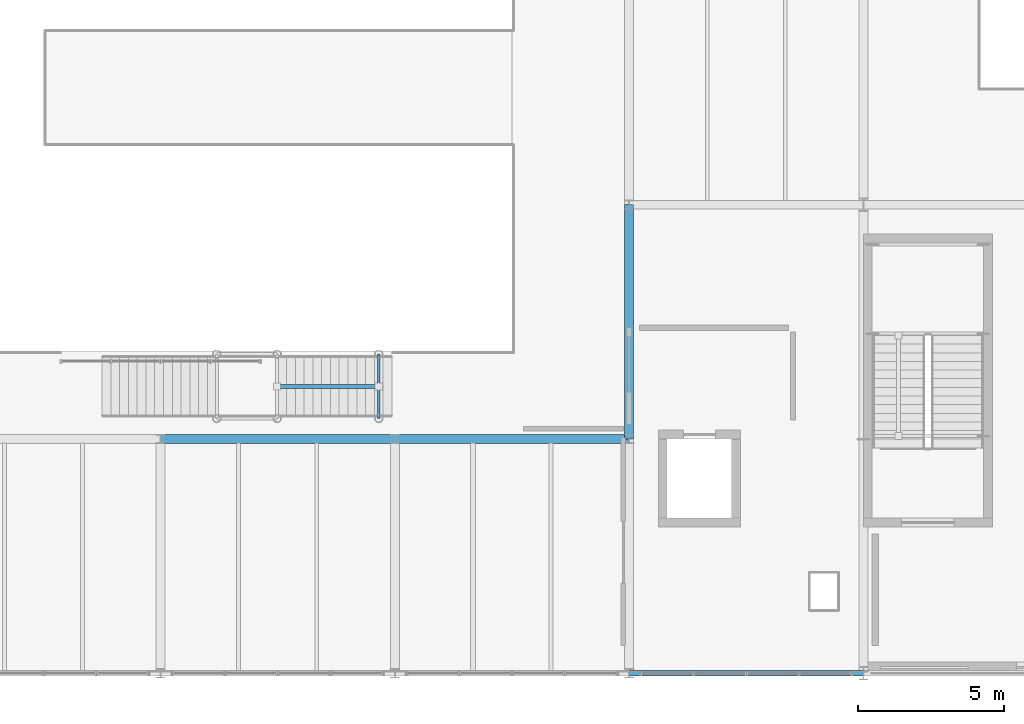
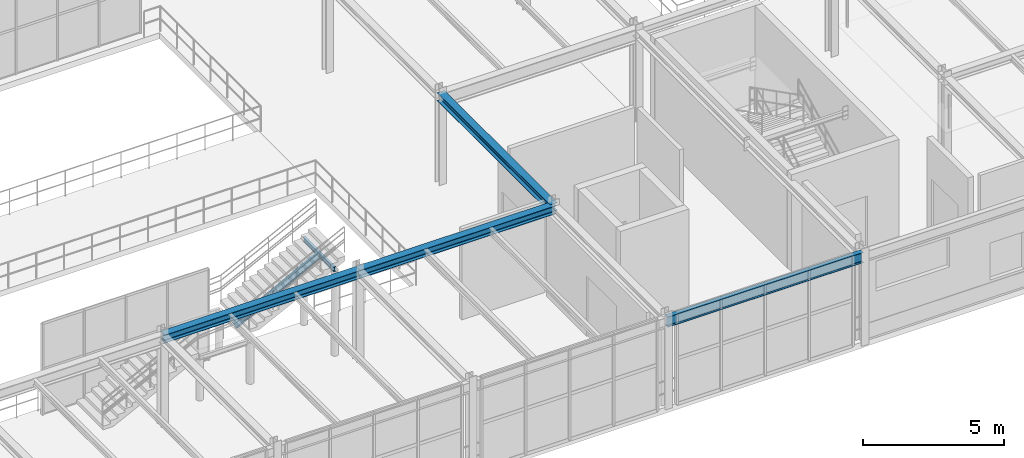
# One storey, part 41 of 124: 5 beams, 1 member.
"""IFC4 building model written with IfcOpenShell, lengths in metres."""

from ifc_helpers import new_model, si_unit, direction, frame, origin, origin_2d, place, context, subcontext, project, spatial, i_section, extrude, material, material_profile, profile_set, type_object, element, save


model = new_model("IFC4")

# Units and contexts
model_context = context("Model", 3, precision=1e-05, world=origin(), true_north=direction((0.0, 1.0)))
body_context = subcontext(model_context, "Body", "Model", "MODEL_VIEW")
ifc_project = project(units=[si_unit("LENGTHUNIT", "METRE"), si_unit("AREAUNIT", "SQUARE_METRE"), si_unit("VOLUMEUNIT", "CUBIC_METRE"), si_unit("PLANEANGLEUNIT", "RADIAN"), si_unit("MASSUNIT", "GRAM", prefix="KILO")], contexts=[model_context])

# Site, building, storey
site_placement = place(None, origin())
site = spatial("IfcSite", under=ifc_project, at=site_placement, CompositionType="ELEMENT")
building_placement = place(site_placement, origin())
building = spatial("IfcBuilding", under=site, at=building_placement, Name="Sundkrona Museum", CompositionType="ELEMENT")
storey_placement = place(building_placement, frame((0.0, 0.0, 17.60009765625)))
storey = spatial("IfcBuildingStorey", under=building, at=storey_placement, Name="L03", CompositionType="ELEMENT", Elevation=17.60009765625)

# Beams
ifc_material = material(Name="Steel S355J2", Category="steel")
ifc_material_profile_1 = material_profile(ifc_material, i_section(OverallWidth=0.300048828125, OverallDepth=0.35009765625, WebThickness=0.010009765625, FlangeThickness=0.017578125, FilletRadius=0.027099609375, at=origin_2d()), Name="HEA 360")
ifc_profile_set_1 = profile_set([ifc_material_profile_1], Name="Steel S355J2")
beam_type_1 = type_object("IfcBeamType", Name="B-HEA360", PredefinedType="BEAM", material=ifc_profile_set_1)
for number, where, z_axis, x_axis, name in (
    (1, (96.0, 8.0, 3.764892578125), (1.0, 0.0, 0.0), (0.0, 1.0, 0.0), "L03 Girder X-1423"),
    (2, (104.0, 8.0, 3.764892578125), (1.0, 0.0, 0.0), (0.0, 1.0, 0.0), "L03 Girder X-1424"),
    (3, (112.0, 8.0, 3.764892578125), (0.0, 1.0, 0.0), (-1.0, 0.0, 0.0), "L03 Girder Y-1618"),
):
    element("IfcBeam", number, at=place(storey_placement, frame(where, z_axis=z_axis, x_axis=x_axis)), inside=storey, type_object=beam_type_1, Name=name, PredefinedType="BEAM", context=body_context, shape_type="SweptSolid", body=[
        extrude(i_section(OverallWidth=0.300048828125, OverallDepth=0.35009765625, WebThickness=0.010009765625, FlangeThickness=0.017578125, FilletRadius=0.027099609375, at=origin_2d()), origin(), (0.0, 0.0, 1.0), 8.0),
    ])

# Member
ifc_material_profile_2 = material_profile(ifc_material, i_section(OverallWidth=0.135009765625, OverallDepth=0.27001953125, WebThickness=0.006591796875, FlangeThickness=0.01025390625, FilletRadius=0.014892578125, at=origin_2d()), Name="IPE 270")
ifc_profile_set_2 = profile_set([ifc_material_profile_2], Name="Steel S355J2")
member_type = type_object("IfcMemberType", Name="BR-IPE270", PredefinedType="BRACE", material=ifc_profile_set_2)
member_placement = place(storey_placement, frame((99.97998046875, 9.800048828125, 1.77978515625), z_axis=(0.879232589604, 0.0, 0.476392751181), x_axis=(0.0, 1.0, 0.0)))
element("IfcMember", 4, at=member_placement, inside=storey, type_object=member_type, Name="SRK-1 Feature Stair FS-4 Flight 2 Inclined Carriage Raker", PredefinedType="BRACE", context=body_context, shape_type="SweptSolid", body=[
    extrude(i_section(OverallWidth=0.135009765625, OverallDepth=0.27001953125, WebThickness=0.006591796875, FlangeThickness=0.01025390625, FilletRadius=0.014892578125, at=origin_2d()), origin(), (0.0, 0.0, 1.0), 3.946533203125),
])

# Beams
ifc_material_profile_3 = material_profile(ifc_material, i_section(OverallWidth=0.10009765625, OverallDepth=0.199951171875, WebThickness=0.005615234375, FlangeThickness=0.008544921875, FilletRadius=0.011962890625, at=origin_2d()), Name="IPE 200")
ifc_profile_set_3 = profile_set([ifc_material_profile_3], Name="Steel S355J2")
beam_type_2 = type_object("IfcBeamType", Name="J-IPE200", PredefinedType="JOIST", material=ifc_profile_set_3)
beam_1_placement = place(storey_placement, frame((103.449951171875, 8.699951171875, 3.659912109375), z_axis=(0.0, 1.0, 0.0), x_axis=(-1.0, 0.0, 0.0)))
element("IfcBeam", 5, at=beam_1_placement, inside=storey, type_object=beam_type_2, Name="Feature Stair FS-4 S3 Trimmer Beam", PredefinedType="JOIST", context=body_context, shape_type="SweptSolid", body=[
    extrude(i_section(OverallWidth=0.10009765625, OverallDepth=0.199951171875, WebThickness=0.005615234375, FlangeThickness=0.008544921875, FilletRadius=0.011962890625, at=origin_2d()), origin(), (0.0, 0.0, 1.0), 2.199951171875),
])
ifc_material_profile_4 = material_profile(ifc_material, i_section(OverallWidth=0.18994140625, OverallDepth=0.449951171875, WebThickness=0.009521484375, FlangeThickness=0.0146484375, FilletRadius=0.02099609375, at=origin_2d()), Name="IPE 450")
ifc_profile_set_4 = profile_set([ifc_material_profile_4], Name="Steel S355J2")
beam_type_3 = type_object("IfcBeamType", Name="SP-IPE450", PredefinedType="SPANDREL", material=ifc_profile_set_4)
beam_2_placement = place(storey_placement, frame((112.0, 0.0, 3.71484375), z_axis=(1.0, 0.0, 0.0), x_axis=(0.0, 1.0, 0.0)))
element("IfcBeam", 6, at=beam_2_placement, inside=storey, type_object=beam_type_3, Name="L03 Girder X-1414", PredefinedType="SPANDREL", context=body_context, shape_type="SweptSolid", body=[
    extrude(i_section(OverallWidth=0.18994140625, OverallDepth=0.449951171875, WebThickness=0.009521484375, FlangeThickness=0.0146484375, FilletRadius=0.02099609375, at=origin_2d()), origin(), (0.0, 0.0, 1.0), 8.0),
])

save(model, "model.ifc")
